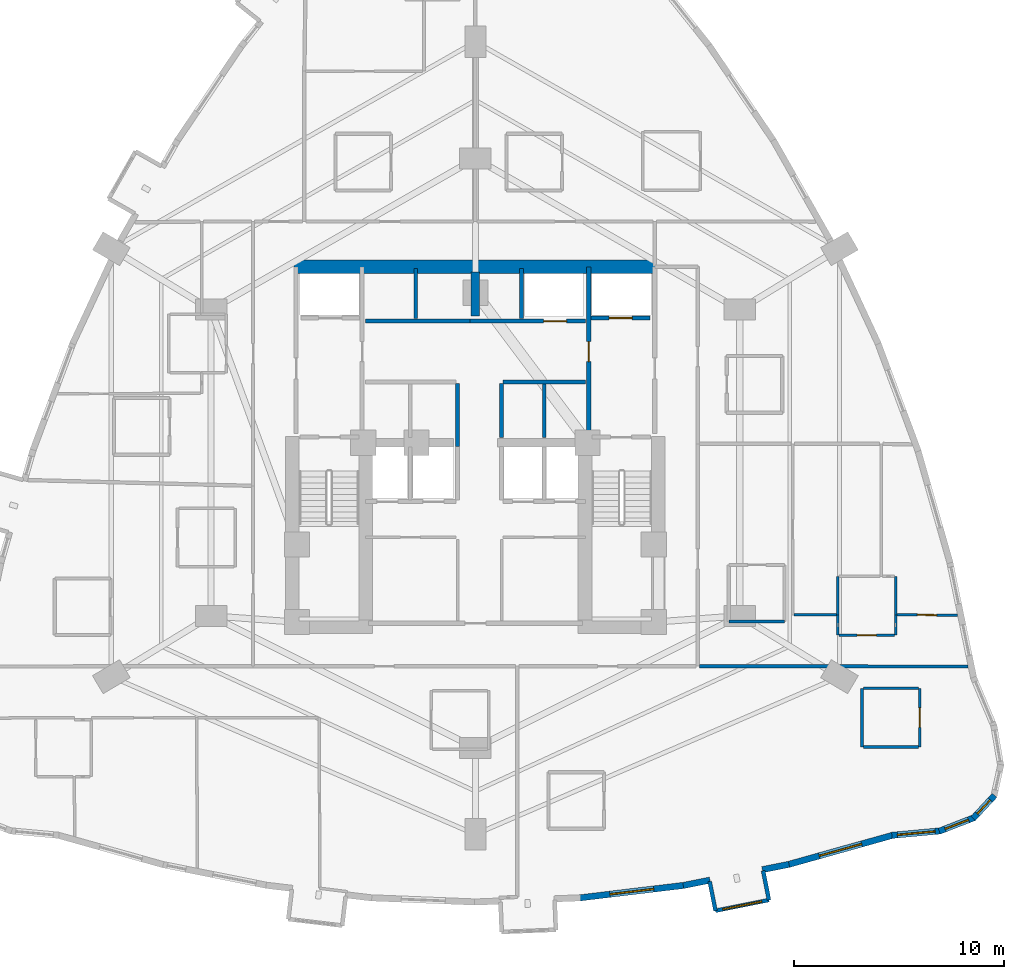
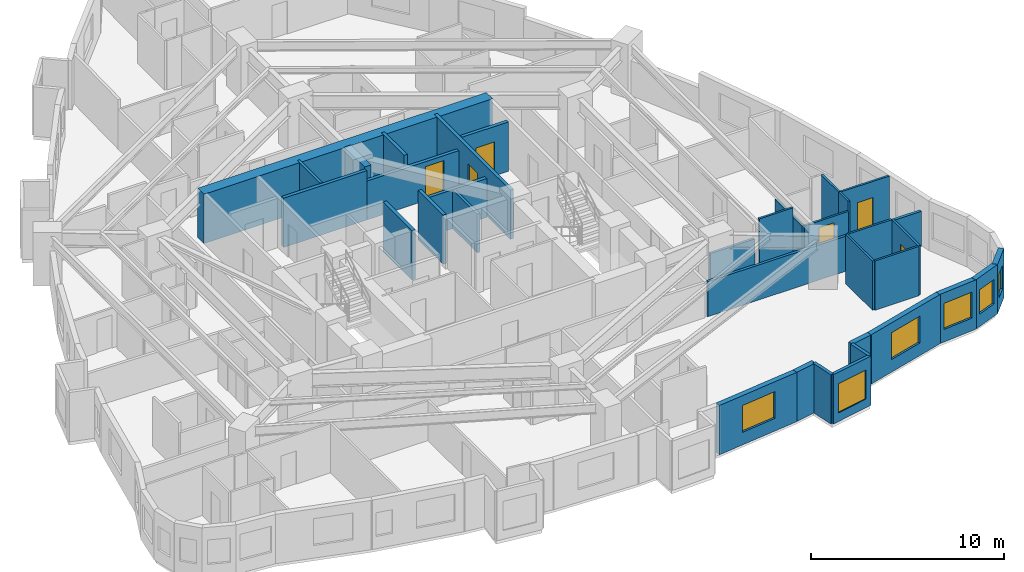
# One storey, part 11 of 15: 35 walls, 6 doors, 6 windows, 12 openings.
"""IFC4 building model written with IfcOpenShell, lengths in metres."""

from ifc_helpers import new_model, si_unit, direction, frame, frame_2d, origin, place, context, subcontext, project, spatial, rectangle, extrude, material, layer, layer_set, type_object, element, fill, save


model = new_model("IFC4")

# Units and contexts
model_context = context("Model", 3, precision=1e-05, world=origin(), true_north=direction((0.0, 1.0)))
body_context = subcontext(model_context, "Body", "Model", "MODEL_VIEW")
ifc_project = project(units=[si_unit("LENGTHUNIT", "METRE"), si_unit("AREAUNIT", "SQUARE_METRE"), si_unit("VOLUMEUNIT", "CUBIC_METRE"), si_unit("PLANEANGLEUNIT", "RADIAN"), si_unit("MASSUNIT", "GRAM", prefix="KILO")], contexts=[model_context])

# Site, building, storey
site_placement = place(None, origin())
site = spatial("IfcSite", under=ifc_project, at=site_placement, CompositionType="ELEMENT")
building_placement = place(site_placement, origin())
building = spatial("IfcBuilding", under=site, at=building_placement, Name="Miruveldt Soraemaru", CompositionType="ELEMENT")
storey_placement = place(building_placement, frame((0.0, 0.0, 32.60009765625)))
storey = spatial("IfcBuildingStorey", under=building, at=storey_placement, Name="L08", CompositionType="ELEMENT", Elevation=32.60009765625)

# Walls
ifc_material_1 = material(Name="White powder-coated aluminium EN AW-6060 T6", Category="aluminium")
ifc_layer_1 = layer(ifc_material_1, 0.18994140625, Name="White powder-coated aluminium EN AW-6060 T6", Category="aluminium")
ifc_layer_set_1 = layer_set([ifc_layer_1], Name="White powder-coated aluminium EN AW-6060 T6")
wall_type_1 = type_object("IfcWallType", Name="WALL-BAY-ALU190", PredefinedType="SOLIDWALL", material=ifc_layer_set_1)
for number, where, z_axis, x_axis, name in (
    (1, (55.166748046875, 23.139404296875, 0.0), (0.0, 0.0, 1.0), (0.195984352603, -0.980607022989, 0.0), "L08 Bay Window Side Cheek 6L"),
    (2, (57.99560546875, 22.251708984375, 0.0), (0.0, 0.0, 1.0), (-0.195984352603, 0.980607022989, 0.0), "L08 Bay Window Side Cheek 6R"),
):
    element("IfcWall", number, at=place(storey_placement, frame(where, z_axis=z_axis, x_axis=x_axis)), inside=storey, type_object=wall_type_1, Name=name, PredefinedType="SOLIDWALL", context=body_context, shape_type="SweptSolid", body=[
        extrude(rectangle(XDim=1.425048828125, YDim=0.18994140625, at=frame_2d((0.71240234375, 0.0))), origin(), (0.0, 0.0, 1.0), 3.125),
    ])

# Wall, opening, window
wall_1_placement = place(storey_placement, frame((55.446044921875, 21.741943359375, 0.0), z_axis=(0.0, 0.0, 1.0), x_axis=(0.980591508741, 0.196061962104, 0.0)))
wall_1 = element("IfcWall", 3, at=wall_1_placement, inside=storey, type_object=wall_type_1, Name="L08 Bay Window Front Frame 6", PredefinedType="SOLIDWALL", context=body_context, shape_type="SweptSolid", body=[
    extrude(rectangle(XDim=2.60009765625, YDim=0.18994140625, at=frame_2d((1.300048828125, 0.0))), origin(), (0.0, 0.0, 1.0), 3.125),
])
opening_1_placement = place(wall_1_placement, frame((0.35009765625, 0.0, 0.550048828125)))
opening_1 = element("IfcOpeningElement", 4, at=opening_1_placement, cuts=wall_1, Name="Opening WN-6", PredefinedType="OPENING", context=body_context, shape_type="SweptSolid", body=[
    extrude(rectangle(XDim=1.89990234375, YDim=1.85009765625, at=frame_2d((0.949951171875, 0.925048828125))), frame((0.0, 0.10498046875, 0.0), z_axis=(0.0, -1.0, 0.0), x_axis=(1.0, 0.0, 0.0)), (0.0, 0.0, 1.0), 0.2099609375),
])
ifc_material_2 = material(Name="Triple low-e insulated glazing", Category="glass")
window_type_1 = type_object("IfcWindowType", Name="WIN-BAYW-1900x1850", PartitioningType="SINGLE_PANEL", PredefinedType="WINDOW", material=ifc_material_2)
window_1_placement = place(opening_1_placement, origin())
window_1 = element("IfcWindow", 5, at=window_1_placement, inside=storey, type_object=window_type_1, Name="L08 Projecting Bay Window 6", OverallHeight=1.85009765625, OverallWidth=1.89990234375, PartitioningType="SINGLE_PANEL", PredefinedType="WINDOW", context=body_context, shape_type="SweptSolid", body=[
    extrude(rectangle(XDim=1.89990234375, YDim=1.85009765625, at=frame_2d((0.949951171875, 0.925048828125))), frame((0.0, 0.030029296875, 0.0), z_axis=(0.0, -1.0, 0.0), x_axis=(1.0, 0.0, 0.0)), (0.0, 0.0, 1.0), 0.06005859375),
])
fill(opening_1, window_1)

# Walls
ifc_material_3 = material(Name="Concrete C70/85 (70 MPa)", Category="concrete")
ifc_layer_2 = layer(ifc_material_3, 0.5, Name="Concrete C70/85 (70 MPa)", Category="concrete")
ifc_layer_set_2 = layer_set([ifc_layer_2], Name="Concrete C70/85 (70 MPa)")
wall_type_2 = type_object("IfcWallType", Name="WALL-BW-500", PredefinedType="SHEAR", material=ifc_layer_set_2)
wall_2_placement = place(storey_placement, frame((44.0, 50.10009765625, 0.0), z_axis=(0.0, 0.0, 1.0), x_axis=(0.0, 1.0, 0.0)))
element("IfcWall", 6, at=wall_2_placement, inside=storey, type_object=wall_type_2, Name="L08 Core Buttress Shear Wall BN", PredefinedType="SHEAR", context=body_context, shape_type="SweptSolid", body=[
    extrude(rectangle(XDim=2.099853515625, YDim=0.39990234375, at=frame_2d((1.0498046875, 0.0))), origin(), (0.0, 0.0, 1.0), 3.125),
])
ifc_material_4 = material(Name="Concrete C80/95 (80 MPa)", Category="concrete")
ifc_layer_3 = layer(ifc_material_4, 0.64990234375, Name="Concrete C80/95 (80 MPa)", Category="concrete")
ifc_layer_set_3 = layer_set([ifc_layer_3], Name="Concrete C80/95 (80 MPa)")
wall_type_3 = type_object("IfcWallType", Name="WALL-CW-650", PredefinedType="SHEAR", material=ifc_layer_set_3)
wall_3_placement = place(storey_placement, frame((35.35009765625, 52.449951171875, 0.0), z_axis=(0.0, 0.0, 1.0), x_axis=(1.0, 0.0, 0.0)))
element("IfcWall", 7, at=wall_3_placement, inside=storey, type_object=wall_type_3, Name="L08 Central Core Shear Wall N", PredefinedType="SHEAR", context=body_context, shape_type="SweptSolid", body=[
    extrude(rectangle(XDim=17.2998046875, YDim=0.64990234375, at=frame_2d((8.64990234375, 0.0))), origin(), (0.0, 0.0, 1.0), 3.125),
])

# Wall, opening, window
ifc_material_5 = material(Name="Precast concrete C45/55 (45 MPa)", Category="concrete")
ifc_layer_4 = layer(ifc_material_5, 0.300048828125, Name="Precast concrete C45/55 (45 MPa)", Category="concrete")
ifc_layer_set_4 = layer_set([ifc_layer_4], Name="Precast concrete C45/55 (45 MPa)")
wall_type_4 = type_object("IfcWallType", Name="WALL-EXT-PC300", PredefinedType="SOLIDWALL", material=ifc_layer_set_4)
wall_4_placement = place(storey_placement, frame((48.9375, 22.35009765625, 0.0), z_axis=(0.0, 0.0, 1.0), x_axis=(0.992877520979, 0.119139533049, 0.0)))
wall_4 = element("IfcWall", 8, at=wall_4_placement, inside=storey, type_object=wall_type_4, Name="L08 Precast Concrete Facade Wall 26", PredefinedType="SOLIDWALL", context=body_context, shape_type="SweptSolid", body=[
    extrude(rectangle(XDim=5.077880859375, YDim=0.300048828125, at=frame_2d((2.5390625, 0.0))), origin(), (0.0, 0.0, 1.0), 3.125),
])
opening_2_placement = place(wall_4_placement, frame((1.489013671875, 0.0, 0.800048828125)))
opening_2 = element("IfcOpeningElement", 9, at=opening_2_placement, cuts=wall_4, Name="Opening WN-1", PredefinedType="OPENING", context=body_context, shape_type="SweptSolid", body=[
    extrude(rectangle(XDim=2.10009765625, YDim=1.699951171875, at=frame_2d((1.050048828125, 0.85009765625))), frame((0.0, 0.16015625, 0.0), z_axis=(0.0, -1.0, 0.0), x_axis=(1.0, 0.0, 0.0)), (0.0, 0.0, 1.0), 0.320068359375),
])
window_type_2 = type_object("IfcWindowType", Name="WIN-PUNCH-2100x1700", PartitioningType="SINGLE_PANEL", PredefinedType="WINDOW", material=ifc_material_2)
window_2_placement = place(opening_2_placement, origin())
window_2 = element("IfcWindow", 10, at=window_2_placement, inside=storey, type_object=window_type_2, Name="L08 Punched Triple-Glazed Window 26.1", OverallHeight=1.699951171875, OverallWidth=2.10009765625, PartitioningType="SINGLE_PANEL", PredefinedType="WINDOW", context=body_context, shape_type="SweptSolid", body=[
    extrude(rectangle(XDim=2.10009765625, YDim=1.699951171875, at=frame_2d((1.050048828125, 0.85009765625))), frame((0.0, 0.030029296875, 0.0), z_axis=(0.0, -1.0, 0.0), x_axis=(1.0, 0.0, 0.0)), (0.0, 0.0, 1.0), 0.06005859375),
])
fill(opening_2, window_2)

# Walls
for number, where, z_axis, x_axis, name in (
    (11, (53.91015625, 22.944091796875, 0.0), (0.0, 0.0, 1.0), (0.980566231491, 0.196188342314, 0.0), "L08 Precast Pier Wall 27A"),
    (12, (57.676025390625, 23.697265625, 0.0), (0.0, 0.0, 1.0), (0.980566231491, 0.196188342314, 0.0), "L08 Precast Pier Wall 27B"),
):
    element("IfcWall", number, at=place(storey_placement, frame(where, z_axis=z_axis, x_axis=x_axis)), inside=storey, type_object=wall_type_4, Name=name, PredefinedType="SOLIDWALL", context=body_context, shape_type="SweptSolid", body=[
        extrude(rectangle(XDim=1.300537109375, YDim=0.300048828125, at=frame_2d((0.650390625, 0.0))), origin(), (0.0, 0.0, 1.0), 3.125),
    ])

# Wall, opening, window
wall_5_placement = place(storey_placement, frame((58.883056640625, 23.93603515625, 0.0), z_axis=(0.0, 0.0, 1.0), x_axis=(0.962961112649, 0.269640307679, 0.0)))
wall_5 = element("IfcWall", 13, at=wall_5_placement, inside=storey, type_object=wall_type_4, Name="L08 Precast Concrete Facade Wall 28", PredefinedType="SOLIDWALL", context=body_context, shape_type="SweptSolid", body=[
    extrude(rectangle(XDim=5.2333984375, YDim=0.300048828125, at=frame_2d((2.61669921875, 0.0))), origin(), (0.0, 0.0, 1.0), 3.125),
])
opening_3_placement = place(wall_5_placement, frame((1.56591796875, 0.0, 0.800048828125)))
opening_3 = element("IfcOpeningElement", 14, at=opening_3_placement, cuts=wall_5, Name="Opening WN-1", PredefinedType="OPENING", context=body_context, shape_type="SweptSolid", body=[
    extrude(rectangle(XDim=2.10009765625, YDim=1.699951171875, at=frame_2d((1.050048828125, 0.85009765625))), frame((0.0, 0.16015625, 0.0), z_axis=(0.0, -1.0, 0.0), x_axis=(1.0, 0.0, 0.0)), (0.0, 0.0, 1.0), 0.320068359375),
])
window_3_placement = place(opening_3_placement, origin())
window_3 = element("IfcWindow", 15, at=window_3_placement, inside=storey, type_object=window_type_2, Name="L08 Punched Triple-Glazed Window 28.1", OverallHeight=1.699951171875, OverallWidth=2.10009765625, PartitioningType="SINGLE_PANEL", PredefinedType="WINDOW", context=body_context, shape_type="SweptSolid", body=[
    extrude(rectangle(XDim=2.10009765625, YDim=1.699951171875, at=frame_2d((1.050048828125, 0.85009765625))), frame((0.0, 0.030029296875, 0.0), z_axis=(0.0, -1.0, 0.0), x_axis=(1.0, 0.0, 0.0)), (0.0, 0.0, 1.0), 0.06005859375),
])
fill(opening_3, window_3)

wall_6_placement = place(storey_placement, frame((63.85400390625, 25.33447265625, 0.0), z_axis=(0.0, 0.0, 1.0), x_axis=(0.995760200103, 0.09198708546, 0.0)))
wall_6 = element("IfcWall", 16, at=wall_6_placement, inside=storey, type_object=wall_type_4, Name="L08 Precast Concrete Facade Wall 29", PredefinedType="SOLIDWALL", context=body_context, shape_type="SweptSolid", body=[
    extrude(rectangle(XDim=2.335693359375, YDim=0.300048828125, at=frame_2d((1.16796875, 0.0))), origin(), (0.0, 0.0, 1.0), 3.125),
])
opening_4_placement = place(wall_6_placement, frame((0.26806640625, 0.0, 0.800048828125)))
opening_4 = element("IfcOpeningElement", 17, at=opening_4_placement, cuts=wall_6, Name="Opening WN-2", PredefinedType="OPENING", context=body_context, shape_type="SweptSolid", body=[
    extrude(rectangle(XDim=1.800048828125, YDim=1.64990234375, at=frame_2d((0.89990234375, 0.824951171875))), frame((0.0, 0.16015625, 0.0), z_axis=(0.0, -1.0, 0.0), x_axis=(1.0, 0.0, 0.0)), (0.0, 0.0, 1.0), 0.320068359375),
])
window_type_3 = type_object("IfcWindowType", Name="WIN-PUNCH-1800x1650", PartitioningType="SINGLE_PANEL", PredefinedType="WINDOW", material=ifc_material_2)
window_4_placement = place(opening_4_placement, origin())
window_4 = element("IfcWindow", 18, at=window_4_placement, inside=storey, type_object=window_type_3, Name="L08 Punched Triple-Glazed Window 29.1", OverallHeight=1.64990234375, OverallWidth=1.800048828125, PartitioningType="SINGLE_PANEL", PredefinedType="WINDOW", context=body_context, shape_type="SweptSolid", body=[
    extrude(rectangle(XDim=1.800048828125, YDim=1.64990234375, at=frame_2d((0.89990234375, 0.824951171875))), frame((0.0, 0.030029296875, 0.0), z_axis=(0.0, -1.0, 0.0), x_axis=(1.0, 0.0, 0.0)), (0.0, 0.0, 1.0), 0.06005859375),
])
fill(opening_4, window_4)

wall_7_placement = place(storey_placement, frame((66.1123046875, 25.533447265625, 0.0), z_axis=(0.0, 0.0, 1.0), x_axis=(0.932256673609, 0.361797587763, 0.0)))
wall_7 = element("IfcWall", 19, at=wall_7_placement, inside=storey, type_object=wall_type_4, Name="L08 Precast Concrete Facade Wall 30", PredefinedType="SOLIDWALL", context=body_context, shape_type="SweptSolid", body=[
    extrude(rectangle(XDim=1.79833984375, YDim=0.300048828125, at=frame_2d((0.899169921875, 0.0))), origin(), (0.0, 0.0, 1.0), 3.125),
])
opening_5_placement = place(wall_7_placement, frame((0.299072265625, 0.0, 0.780029296875)))
opening_5 = element("IfcOpeningElement", 20, at=opening_5_placement, cuts=wall_7, Name="Opening WN-4", PredefinedType="OPENING", context=body_context, shape_type="SweptSolid", body=[
    extrude(rectangle(XDim=1.199951171875, YDim=1.550048828125, at=frame_2d((0.60009765625, 0.77490234375))), frame((0.0, 0.16015625, 0.0), z_axis=(0.0, -1.0, 0.0), x_axis=(1.0, 0.0, 0.0)), (0.0, 0.0, 1.0), 0.320068359375),
])
window_type_4 = type_object("IfcWindowType", Name="WIN-PUNCH-1200x1550", PartitioningType="SINGLE_PANEL", PredefinedType="WINDOW", material=ifc_material_2)
window_5_placement = place(opening_5_placement, origin())
window_5 = element("IfcWindow", 21, at=window_5_placement, inside=storey, type_object=window_type_4, Name="L08 Punched Triple-Glazed Window 30.1", OverallHeight=1.550048828125, OverallWidth=1.199951171875, PartitioningType="SINGLE_PANEL", PredefinedType="WINDOW", context=body_context, shape_type="SweptSolid", body=[
    extrude(rectangle(XDim=1.199951171875, YDim=1.550048828125, at=frame_2d((0.60009765625, 0.77490234375))), frame((0.0, 0.030029296875, 0.0), z_axis=(0.0, -1.0, 0.0), x_axis=(1.0, 0.0, 0.0)), (0.0, 0.0, 1.0), 0.06005859375),
])
fill(opening_5, window_5)

wall_8_placement = place(storey_placement, frame((67.732421875, 26.1455078125, 0.0), z_axis=(0.0, 0.0, 1.0), x_axis=(0.680093162968, 0.73312569842, 0.0)))
wall_8 = element("IfcWall", 22, at=wall_8_placement, inside=storey, type_object=wall_type_4, Name="L08 Precast Concrete Facade Wall 31", PredefinedType="SOLIDWALL", context=body_context, shape_type="SweptSolid", body=[
    extrude(rectangle(XDim=1.491455078125, YDim=0.300048828125, at=frame_2d((0.74560546875, 0.0))), origin(), (0.0, 0.0, 1.0), 3.125),
])
opening_6_placement = place(wall_8_placement, frame((0.294921875, 0.0, 0.780029296875)))
opening_6 = element("IfcOpeningElement", 23, at=opening_6_placement, cuts=wall_8, Name="Opening WN-7", PredefinedType="OPENING", context=body_context, shape_type="SweptSolid", body=[
    extrude(rectangle(XDim=0.89990234375, YDim=1.5, at=frame_2d((0.449951171875, 0.75))), frame((0.0, 0.16015625, 0.0), z_axis=(0.0, -1.0, 0.0), x_axis=(1.0, 0.0, 0.0)), (0.0, 0.0, 1.0), 0.320068359375),
])
window_type_5 = type_object("IfcWindowType", Name="WIN-PUNCH-900x1500", PartitioningType="SINGLE_PANEL", PredefinedType="WINDOW", material=ifc_material_2)
window_6_placement = place(opening_6_placement, origin())
window_6 = element("IfcWindow", 24, at=window_6_placement, inside=storey, type_object=window_type_5, Name="L08 Punched Triple-Glazed Window 31.1", OverallHeight=1.5, OverallWidth=0.89990234375, PartitioningType="SINGLE_PANEL", PredefinedType="WINDOW", context=body_context, shape_type="SweptSolid", body=[
    extrude(rectangle(XDim=0.89990234375, YDim=1.5, at=frame_2d((0.449951171875, 0.75))), frame((0.0, 0.030029296875, 0.0), z_axis=(0.0, -1.0, 0.0), x_axis=(1.0, 0.0, 0.0)), (0.0, 0.0, 1.0), 0.06005859375),
])
fill(opening_6, window_6)

# Wall, opening, door
ifc_material_6 = material(Name="Gypsum plasterboard lining", Category="gypsum")
ifc_layer_5 = layer(ifc_material_6, 0.1201171875, Name="Gypsum plasterboard lining", Category="gypsum")
ifc_layer_set_5 = layer_set([ifc_layer_5], Name="Gypsum plasterboard lining")
wall_type_5 = type_object("IfcWallType", Name="WALL-INT-P120", PredefinedType="PARTITIONING", material=ifc_layer_set_5)
wall_9_placement = place(storey_placement, frame((66.971923828125, 35.8330078125, 0.0), z_axis=(0.0, 0.0, 1.0), x_axis=(-0.999982416868, 0.005930088883, 0.0)))
wall_9 = element("IfcWall", 25, at=wall_9_placement, inside=storey, type_object=wall_type_5, Name="L08 Partition Wall 78", PredefinedType="PARTITIONING", context=body_context, shape_type="SweptSolid", body=[
    extrude(rectangle(XDim=2.8818359375, YDim=0.1201171875, at=frame_2d((1.44091796875, 0.0))), origin(), (0.0, 0.0, 1.0), 3.125),
])
opening_7_placement = place(wall_9_placement, frame((0.98095703125, 0.0, 0.0)))
opening_7 = element("IfcOpeningElement", 26, at=opening_7_placement, cuts=wall_9, Name="Opening D3A", PredefinedType="OPENING", context=body_context, shape_type="SweptSolid", body=[
    extrude(rectangle(XDim=0.919921875, YDim=2.10009765625, at=frame_2d((0.4599609375, 1.050048828125))), frame((0.0, 0.070068359375, 0.0), z_axis=(0.0, -1.0, 0.0), x_axis=(1.0, 0.0, 0.0)), (0.0, 0.0, 1.0), 0.14013671875),
])
ifc_material_7 = material(Name="Anodised aluminium EN AW-6063 T6", Category="aluminium")
door_type_1 = type_object("IfcDoorType", Name="DOOR-INT-920", OperationType="NOTDEFINED", PredefinedType="DOOR", material=ifc_material_7)
door_1_placement = place(opening_7_placement, origin())
door_1 = element("IfcDoor", 27, at=door_1_placement, inside=storey, type_object=door_type_1, Name="L08 Unit 0807 BD2 Door", OperationType="SINGLE_SWING_LEFT", OverallHeight=2.10009765625, OverallWidth=0.919921875, PredefinedType="DOOR", context=body_context, shape_type="SweptSolid", body=[
    extrude(rectangle(XDim=0.919921875, YDim=2.10009765625, at=frame_2d((0.4599609375, 1.050048828125))), frame((0.0, 0.02490234375, 0.0), z_axis=(0.0, -1.0, 0.0), x_axis=(1.0, 0.0, 0.0)), (0.0, 0.0, 1.0), 0.050048828125),
])
fill(opening_7, door_1)

wall_10_placement = place(storey_placement, frame((65.179931640625, 29.548095703125, 0.0), z_axis=(0.0, 0.0, 1.0), x_axis=(0.0, 1.0, 0.0)))
wall_10 = element("IfcWall", 28, at=wall_10_placement, inside=storey, type_object=wall_type_5, Name="L08 Partition Wall 103", PredefinedType="PARTITIONING", context=body_context, shape_type="SweptSolid", body=[
    extrude(rectangle(XDim=2.7998046875, YDim=0.1201171875, at=frame_2d((1.39990234375, 0.0))), origin(), (0.0, 0.0, 1.0), 3.125),
])
opening_8_placement = place(wall_10_placement, frame((0.93994140625, 0.0, 0.0)))
opening_8 = element("IfcOpeningElement", 29, at=opening_8_placement, cuts=wall_10, Name="Opening D3A", PredefinedType="OPENING", context=body_context, shape_type="SweptSolid", body=[
    extrude(rectangle(XDim=0.919921875, YDim=2.10009765625, at=frame_2d((0.4599609375, 1.050048828125))), frame((0.0, 0.070068359375, 0.0), z_axis=(0.0, -1.0, 0.0), x_axis=(1.0, 0.0, 0.0)), (0.0, 0.0, 1.0), 0.14013671875),
])
door_2_placement = place(opening_8_placement, origin())
door_2 = element("IfcDoor", 30, at=door_2_placement, inside=storey, type_object=door_type_1, Name="L08 Unit CL09 KIT Door", OperationType="SINGLE_SWING_LEFT", OverallHeight=2.10009765625, OverallWidth=0.919921875, PredefinedType="DOOR", context=body_context, shape_type="SweptSolid", body=[
    extrude(rectangle(XDim=0.919921875, YDim=2.10009765625, at=frame_2d((0.4599609375, 1.050048828125))), frame((0.0, 0.02490234375, 0.0), z_axis=(0.0, -1.0, 0.0), x_axis=(1.0, 0.0, 0.0)), (0.0, 0.0, 1.0), 0.050048828125),
])
fill(opening_8, door_2)

wall_11_placement = place(storey_placement, frame((61.340087890625, 34.8798828125, 0.0), z_axis=(0.0, 0.0, 1.0), x_axis=(1.0, 0.0, 0.0)))
wall_11 = element("IfcWall", 31, at=wall_11_placement, inside=storey, type_object=wall_type_5, Name="L08 Partition Wall 75", PredefinedType="PARTITIONING", context=body_context, shape_type="SweptSolid", body=[
    extrude(rectangle(XDim=2.6298828125, YDim=0.1201171875, at=frame_2d((1.31494140625, 0.0))), origin(), (0.0, 0.0, 1.0), 2.512939453125),
])
opening_9_placement = place(wall_11_placement, frame((0.85498046875, 0.0, 0.0)))
opening_9 = element("IfcOpeningElement", 32, at=opening_9_placement, cuts=wall_11, Name="Opening D3A", PredefinedType="OPENING", context=body_context, shape_type="SweptSolid", body=[
    extrude(rectangle(XDim=0.919921875, YDim=2.10009765625, at=frame_2d((0.4599609375, 1.050048828125))), frame((0.0, 0.070068359375, 0.0), z_axis=(0.0, -1.0, 0.0), x_axis=(1.0, 0.0, 0.0)), (0.0, 0.0, 1.0), 0.14013671875),
])
door_3_placement = place(opening_9_placement, origin())
door_3 = element("IfcDoor", 33, at=door_3_placement, inside=storey, type_object=door_type_1, Name="L08 Unit 0807 KIT Door", OperationType="SINGLE_SWING_LEFT", OverallHeight=2.10009765625, OverallWidth=0.919921875, PredefinedType="DOOR", context=body_context, shape_type="SweptSolid", body=[
    extrude(rectangle(XDim=0.919921875, YDim=2.10009765625, at=frame_2d((0.4599609375, 1.050048828125))), frame((0.0, 0.02490234375, 0.0), z_axis=(0.0, -1.0, 0.0), x_axis=(1.0, 0.0, 0.0)), (0.0, 0.0, 1.0), 0.050048828125),
])
fill(opening_9, door_3)

# Walls
wall_12_placement = place(storey_placement, frame((62.429931640625, 32.347900390625, 0.0), z_axis=(0.0, 0.0, 1.0), x_axis=(0.0, -1.0, 0.0)))
element("IfcWall", 34, at=wall_12_placement, inside=storey, type_object=wall_type_5, Name="L08 Partition Wall 105", PredefinedType="PARTITIONING", context=body_context, shape_type="SweptSolid", body=[
    extrude(rectangle(XDim=2.7998046875, YDim=0.1201171875, at=frame_2d((1.39990234375, 0.0))), origin(), (0.0, 0.0, 1.0), 3.125),
])
for number, where, z_axis, x_axis, name in (
    (35, (65.1201171875, 32.347900390625, 0.0), (0.0, 0.0, 1.0), (-1.0, 0.0, 0.0), "L08 Partition Wall 104"),
    (36, (62.489990234375, 29.548095703125, 0.0), (0.0, 0.0, 1.0), (1.0, 0.0, 0.0), "L08 Partition Wall 106"),
):
    element("IfcWall", number, at=place(storey_placement, frame(where, z_axis=z_axis, x_axis=x_axis)), inside=storey, type_object=wall_type_5, Name=name, PredefinedType="PARTITIONING", context=body_context, shape_type="SweptSolid", body=[
        extrude(rectangle(XDim=2.630126953125, YDim=0.1201171875, at=frame_2d((1.31494140625, 0.0))), origin(), (0.0, 0.0, 1.0), 3.125),
    ])
wall_13_placement = place(storey_placement, frame((61.219970703125, 35.85009765625, 0.0), z_axis=(0.0, 0.0, 1.0), x_axis=(-1.0, 0.0, 0.0)))
element("IfcWall", 37, at=wall_13_placement, inside=storey, type_object=wall_type_5, Name="L08 Partition Wall 76", PredefinedType="PARTITIONING", context=body_context, shape_type="SweptSolid", body=[
    extrude(rectangle(XDim=2.02392578125, YDim=0.1201171875, at=frame_2d((1.011962890625, 0.0))), origin(), (0.0, 0.0, 1.0), 3.125),
])
wall_14_placement = place(storey_placement, frame((61.280029296875, 37.679931640625, 0.0), z_axis=(0.0, 0.0, 1.0), x_axis=(0.0, -1.0, 0.0)))
element("IfcWall", 38, at=wall_14_placement, inside=storey, type_object=wall_type_5, Name="L08 Partition Wall 81", PredefinedType="PARTITIONING", context=body_context, shape_type="SweptSolid", body=[
    extrude(rectangle(XDim=1.829833984375, YDim=0.1201171875, at=frame_2d((0.9150390625, 0.0))), origin(), (0.0, 0.0, 1.0), 2.512939453125),
])
wall_15_placement = place(storey_placement, frame((64.030029296875, 35.85009765625, 0.0), z_axis=(0.0, 0.0, 1.0), x_axis=(0.0, 1.0, 0.0)))
element("IfcWall", 39, at=wall_15_placement, inside=storey, type_object=wall_type_5, Name="L08 Partition Wall 82", PredefinedType="PARTITIONING", context=body_context, shape_type="SweptSolid", body=[
    extrude(rectangle(XDim=1.829833984375, YDim=0.1201171875, at=frame_2d((0.9150390625, 0.0))), origin(), (0.0, 0.0, 1.0), 3.125),
])
wall_16_placement = place(storey_placement, frame((64.030029296875, 34.8798828125, 0.0), z_axis=(0.0, 0.0, 1.0), x_axis=(0.0, 1.0, 0.0)))
element("IfcWall", 40, at=wall_16_placement, inside=storey, type_object=wall_type_5, Name="L08 Partition Wall 73", PredefinedType="PARTITIONING", context=body_context, shape_type="SweptSolid", body=[
    extrude(rectangle(XDim=0.97021484375, YDim=0.1201171875, at=frame_2d((0.485107421875, 0.0))), origin(), (0.0, 0.0, 1.0), 3.125),
])
wall_17_placement = place(storey_placement, frame((61.280029296875, 35.85009765625, 0.0), z_axis=(0.0, 0.0, 1.0), x_axis=(0.0, -1.0, 0.0)))
element("IfcWall", 41, at=wall_17_placement, inside=storey, type_object=wall_type_5, Name="L08 Partition Wall 74", PredefinedType="PARTITIONING", context=body_context, shape_type="SweptSolid", body=[
    extrude(rectangle(XDim=0.97021484375, YDim=0.1201171875, at=frame_2d((0.485107421875, 0.0))), origin(), (0.0, 0.0, 1.0), 2.512939453125),
])
ifc_layer_6 = layer(ifc_material_6, 0.14990234375, Name="Gypsum plasterboard lining", Category="gypsum")
ifc_layer_set_6 = layer_set([ifc_layer_6], Name="Gypsum plasterboard lining")
wall_type_6 = type_object("IfcWallType", Name="WALL-INT-PLUMB", PredefinedType="PLUMBINGWALL", material=ifc_layer_set_6)
wall_18_placement = place(storey_placement, frame((56.080078125, 35.530029296875, 0.0), z_axis=(0.0, 0.0, 1.0), x_axis=(1.0, 0.0, 0.0)))
element("IfcWall", 42, at=wall_18_placement, inside=storey, type_object=wall_type_6, Name="L08 Partition Wall 72", PredefinedType="PLUMBINGWALL", context=body_context, shape_type="SweptSolid", body=[
    extrude(rectangle(XDim=2.64990234375, YDim=0.14990234375, at=frame_2d((1.324951171875, 0.0))), origin(), (0.0, 0.0, 1.0), 2.219970703125),
])
ifc_material_8 = material(Name="Concrete C40/50 (40 MPa)", Category="concrete")
ifc_layer_7 = layer(ifc_material_8, 0.159912109375, Name="Concrete C40/50 (40 MPa)", Category="concrete")
ifc_layer_set_7 = layer_set([ifc_layer_7], Name="Concrete C40/50 (40 MPa)")
wall_type_7 = type_object("IfcWallType", Name="WALL-INT-RC160", PredefinedType="SOLIDWALL", material=ifc_layer_set_7)
wall_19_placement = place(storey_placement, frame((54.679931640625, 33.39990234375, 0.0), z_axis=(0.0, 0.0, 1.0), x_axis=(0.999999133458, -0.001316466148, 0.0)))
element("IfcWall", 43, at=wall_19_placement, inside=storey, type_object=wall_type_7, Name="L08 Partition Wall 79", PredefinedType="SOLIDWALL", context=body_context, shape_type="SweptSolid", body=[
    extrude(rectangle(XDim=12.796142578125, YDim=0.159912109375, at=frame_2d((6.39794921875, 0.0))), origin(), (0.0, 0.0, 1.0), 2.219970703125),
])
wall_20_placement = place(storey_placement, frame((47.280029296875, 44.300048828125, 0.0), z_axis=(0.0, 0.0, 1.0), x_axis=(0.0, 1.0, 0.0)))
element("IfcWall", 44, at=wall_20_placement, inside=storey, type_object=wall_type_7, Name="L08 Core Compartment Wall PLM-DE", PredefinedType="SOLIDWALL", context=body_context, shape_type="SweptSolid", body=[
    extrude(rectangle(XDim=2.550048828125, YDim=0.159912109375, at=frame_2d((1.27490234375, 0.0))), origin(), (0.0, 0.0, 1.0), 2.462890625),
])
wall_21_placement = place(storey_placement, frame((41.14990234375, 49.97998046875, 0.0), z_axis=(0.0, 0.0, 1.0), x_axis=(0.0, 1.0, 0.0)))
element("IfcWall", 45, at=wall_21_placement, inside=storey, type_object=wall_type_7, Name="L08 Core Compartment Wall PLH-DIV1", PredefinedType="SOLIDWALL", context=body_context, shape_type="SweptSolid", body=[
    extrude(rectangle(XDim=2.3701171875, YDim=0.159912109375, at=frame_2d((1.18505859375, 0.0))), origin(), (0.0, 0.0, 1.0), 3.125),
])

# Wall, opening, door
ifc_layer_8 = layer(ifc_material_8, 0.199951171875, Name="Concrete C40/50 (40 MPa)", Category="concrete")
ifc_layer_set_8 = layer_set([ifc_layer_8], Name="Concrete C40/50 (40 MPa)")
wall_type_8 = type_object("IfcWallType", Name="WALL-INT-RC200", PredefinedType="SOLIDWALL", material=ifc_layer_set_8)
wall_22_placement = place(storey_placement, frame((49.39990234375, 44.5, 0.0), z_axis=(0.0, 0.0, 1.0), x_axis=(0.0, 1.0, 0.0)))
wall_22 = element("IfcWall", 46, at=wall_22_placement, inside=storey, type_object=wall_type_8, Name="L08 Core Compartment Wall FFE-IN", PredefinedType="SOLIDWALL", context=body_context, shape_type="SweptSolid", body=[
    extrude(rectangle(XDim=7.919921875, YDim=0.199951171875, at=frame_2d((3.9599609375, 0.0))), origin(), (0.0, 0.0, 1.0), 3.125),
])
opening_10_placement = place(wall_22_placement, frame((3.425048828125, 0.0, 0.0)))
opening_10 = element("IfcOpeningElement", 47, at=opening_10_placement, cuts=wall_22, Name="Opening FD2", PredefinedType="OPENING", context=body_context, shape_type="SweptSolid", body=[
    extrude(rectangle(XDim=0.949951171875, YDim=2.14990234375, at=frame_2d((0.47509765625, 1.074951171875))), frame((0.0, 0.10986328125, 0.0), z_axis=(0.0, -1.0, 0.0), x_axis=(1.0, 0.0, 0.0)), (0.0, 0.0, 1.0), 0.219970703125),
])
door_type_2 = type_object("IfcDoorType", Name="DOOR-FD2-950", OperationType="NOTDEFINED", PredefinedType="DOOR", material=ifc_material_7)
door_4_placement = place(opening_10_placement, origin())
door_4 = element("IfcDoor", 48, at=door_4_placement, inside=storey, type_object=door_type_2, Name="L08 Lift Lobby to East Fire Lobby Door", OperationType="SINGLE_SWING_LEFT", OverallHeight=2.14990234375, OverallWidth=0.949951171875, PredefinedType="DOOR", context=body_context, shape_type="SweptSolid", body=[
    extrude(rectangle(XDim=0.949951171875, YDim=2.14990234375, at=frame_2d((0.47509765625, 1.074951171875))), frame((0.0, 0.02490234375, 0.0), z_axis=(0.0, -1.0, 0.0), x_axis=(1.0, 0.0, 0.0)), (0.0, 0.0, 1.0), 0.050048828125),
])
fill(opening_10, door_4)

wall_23_placement = place(storey_placement, frame((43.75, 49.85009765625, 0.0), z_axis=(0.0, 0.0, 1.0), x_axis=(1.0, 0.0, 0.0)))
wall_23 = element("IfcWall", 49, at=wall_23_placement, inside=storey, type_object=wall_type_8, Name="L08 Core Compartment Wall ROWA-SE", PredefinedType="SOLIDWALL", context=body_context, shape_type="SweptSolid", body=[
    extrude(rectangle(XDim=5.5, YDim=0.199951171875, at=frame_2d((2.75, 0.0))), origin(), (0.0, 0.0, 1.0), 2.462890625),
])
opening_11_placement = place(wall_23_placement, frame((3.5, 0.0, 0.0)))
opening_11 = element("IfcOpeningElement", 50, at=opening_11_placement, cuts=wall_23, Name="Opening LD2", PredefinedType="OPENING", context=body_context, shape_type="SweptSolid", body=[
    extrude(rectangle(XDim=1.10009765625, YDim=2.14990234375, at=frame_2d((0.550048828125, 1.074951171875))), frame((0.0, 0.10986328125, 0.0), z_axis=(0.0, -1.0, 0.0), x_axis=(1.0, 0.0, 0.0)), (0.0, 0.0, 1.0), 0.219970703125),
])
door_type_3 = type_object("IfcDoorType", Name="DOOR-LD2-1100", OperationType="SLIDING_TO_LEFT", PredefinedType="DOOR", material=ifc_material_7)
door_5_placement = place(opening_11_placement, origin())
door_5 = element("IfcDoor", 51, at=door_5_placement, inside=storey, type_object=door_type_3, Name="L08 SL-1 Landing Door", OperationType="SLIDING_TO_LEFT", OverallHeight=2.14990234375, OverallWidth=1.10009765625, PredefinedType="DOOR", context=body_context, shape_type="SweptSolid", body=[
    extrude(rectangle(XDim=1.10009765625, YDim=2.14990234375, at=frame_2d((0.550048828125, 1.074951171875))), frame((0.0, 0.02490234375, 0.0), z_axis=(0.0, -1.0, 0.0), x_axis=(1.0, 0.0, 0.0)), (0.0, 0.0, 1.0), 0.050048828125),
])
fill(opening_11, door_5)

wall_24_placement = place(storey_placement, frame((49.52001953125, 50.0, 0.0), z_axis=(0.0, 0.0, 1.0), x_axis=(1.0, 0.0, 0.0)))
wall_24 = element("IfcWall", 52, at=wall_24_placement, inside=storey, type_object=wall_type_8, Name="L08 Core Compartment Wall FFL2-S", PredefinedType="SOLIDWALL", context=body_context, shape_type="SweptSolid", body=[
    extrude(rectangle(XDim=2.800048828125, YDim=0.199951171875, at=frame_2d((1.39990234375, 0.0))), origin(), (0.0, 0.0, 1.0), 3.125),
])
opening_12_placement = place(wall_24_placement, frame((0.85009765625, 0.0, 0.0)))
opening_12 = element("IfcOpeningElement", 53, at=opening_12_placement, cuts=wall_24, Name="Opening LD2", PredefinedType="OPENING", context=body_context, shape_type="SweptSolid", body=[
    extrude(rectangle(XDim=1.10009765625, YDim=2.14990234375, at=frame_2d((0.550048828125, 1.074951171875))), frame((0.0, 0.10986328125, 0.0), z_axis=(0.0, -1.0, 0.0), x_axis=(1.0, 0.0, 0.0)), (0.0, 0.0, 1.0), 0.219970703125),
])
door_6_placement = place(opening_12_placement, origin())
door_6 = element("IfcDoor", 54, at=door_6_placement, inside=storey, type_object=door_type_3, Name="L08 FFL-2 Landing Door", OperationType="SLIDING_TO_LEFT", OverallHeight=2.14990234375, OverallWidth=1.10009765625, PredefinedType="DOOR", context=body_context, shape_type="SweptSolid", body=[
    extrude(rectangle(XDim=1.10009765625, YDim=2.14990234375, at=frame_2d((0.550048828125, 1.074951171875))), frame((0.0, 0.02490234375, 0.0), z_axis=(0.0, -1.0, 0.0), x_axis=(1.0, 0.0, 0.0)), (0.0, 0.0, 1.0), 0.050048828125),
])
fill(opening_12, door_6)

# Walls
wall_25_placement = place(storey_placement, frame((38.75, 49.85009765625, 0.0), z_axis=(0.0, 0.0, 1.0), x_axis=(1.0, 0.0, 0.0)))
element("IfcWall", 55, at=wall_25_placement, inside=storey, type_object=wall_type_8, Name="L08 Core Compartment Wall ROWA-SW", PredefinedType="SOLIDWALL", context=body_context, shape_type="SweptSolid", body=[
    extrude(rectangle(XDim=5.0, YDim=0.199951171875, at=frame_2d((2.5, 0.0))), origin(), (0.0, 0.0, 1.0), 3.125),
])
wall_26_placement = place(storey_placement, frame((45.320068359375, 46.949951171875, 0.0), z_axis=(0.0, 0.0, 1.0), x_axis=(1.0, 0.0, 0.0)))
element("IfcWall", 56, at=wall_26_placement, inside=storey, type_object=wall_type_8, Name="L08 Core Compartment Wall MBE-N", PredefinedType="SOLIDWALL", context=body_context, shape_type="SweptSolid", body=[
    extrude(rectangle(XDim=3.929931640625, YDim=0.199951171875, at=frame_2d((1.96484375, 0.0))), origin(), (0.0, 0.0, 1.0), 2.462890625),
])
wall_27_placement = place(storey_placement, frame((43.14990234375, 43.8798828125, 0.0), z_axis=(0.0, 0.0, 1.0), x_axis=(0.0, 1.0, 0.0)))
element("IfcWall", 57, at=wall_27_placement, inside=storey, type_object=wall_type_8, Name="L08 Core Compartment Wall SP-WB", PredefinedType="SOLIDWALL", context=body_context, shape_type="SweptSolid", body=[
    extrude(rectangle(XDim=3.0, YDim=0.199951171875, at=frame_2d((1.5, 0.0))), origin(), (0.0, 0.0, 1.0), 3.125),
])
wall_28_placement = place(storey_placement, frame((45.25, 44.300048828125, 0.0), z_axis=(0.0, 0.0, 1.0), x_axis=(0.0, 1.0, 0.0)))
element("IfcWall", 58, at=wall_28_placement, inside=storey, type_object=wall_type_8, Name="L08 Core Compartment Wall SP-EB", PredefinedType="SOLIDWALL", context=body_context, shape_type="SweptSolid", body=[
    extrude(rectangle(XDim=2.579833984375, YDim=0.199951171875, at=frame_2d((1.2900390625, 0.0))), origin(), (0.0, 0.0, 1.0), 3.125),
])
wall_29_placement = place(storey_placement, frame((46.199951171875, 49.97998046875, 0.0), z_axis=(0.0, 0.0, 1.0), x_axis=(0.0, 1.0, 0.0)))
element("IfcWall", 59, at=wall_29_placement, inside=storey, type_object=wall_type_8, Name="L08 Core Compartment Wall PLH-SL-DIV", PredefinedType="SOLIDWALL", context=body_context, shape_type="SweptSolid", body=[
    extrude(rectangle(XDim=2.3701171875, YDim=0.199951171875, at=frame_2d((1.18505859375, 0.0))), origin(), (0.0, 0.0, 1.0), 3.125),
])

save(model, "model.ifc")
